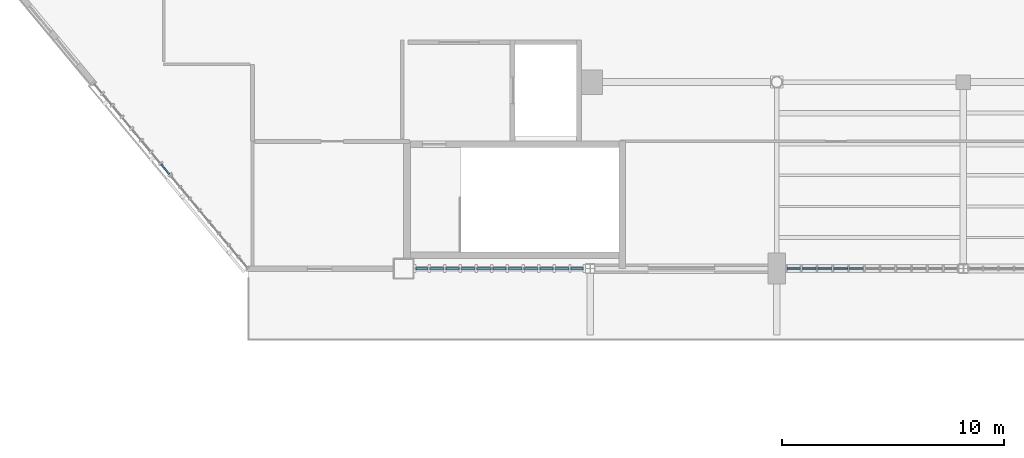
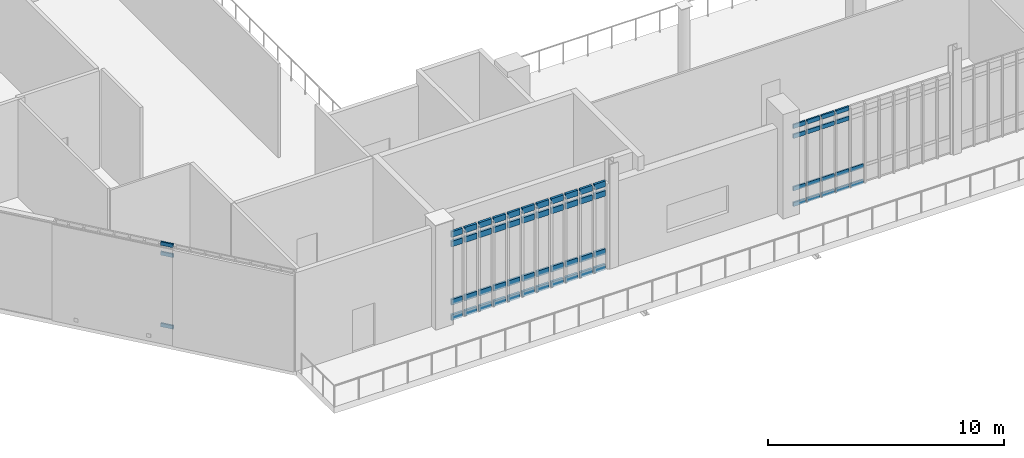
# One storey, part 44 of 135: 65 members, 3 elements without a shape of their own.
"""IFC4 building model written with IfcOpenShell, lengths in metres."""

from ifc_helpers import new_model, si_unit, direction, frame, origin, origin_2d, place, context, subcontext, project, spatial, rectangle, extrude, material, material_profile, profile_set, type_object, element, aggregate, save


model = new_model("IFC4")

# Units and contexts
model_context = context("Model", 3, precision=1e-05, world=origin(), true_north=direction((0.0, 1.0)))
body_context = subcontext(model_context, "Body", "Model", "MODEL_VIEW")
ifc_project = project(units=[si_unit("LENGTHUNIT", "METRE"), si_unit("AREAUNIT", "SQUARE_METRE"), si_unit("VOLUMEUNIT", "CUBIC_METRE"), si_unit("PLANEANGLEUNIT", "RADIAN"), si_unit("MASSUNIT", "GRAM", prefix="KILO")], contexts=[model_context])

# Site, building, storey
site_placement = place(None, origin())
site = spatial("IfcSite", under=ifc_project, at=site_placement, CompositionType="ELEMENT")
building_placement = place(site_placement, origin())
building = spatial("IfcBuilding", under=site, at=building_placement, Name="Larkvane Passage Sports Hall", CompositionType="ELEMENT")
storey_placement = place(building_placement, frame((0.0, 0.0, 16.800048828125)))
storey = spatial("IfcBuildingStorey", under=building, at=storey_placement, Name="L03", CompositionType="ELEMENT", Elevation=16.800048828125)

# Curtain wall, members
ifc_material_1 = material(Name="Thermally broken aluminium and low-E glazing", Category="aluminium")
curtain_wall_type_1 = type_object("IfcCurtainWallType", Name="CW-CLINIC", PredefinedType="USERDEFINED", material=ifc_material_1)
curtain_wall_1_placement = place(storey_placement, origin())
curtain_wall_1 = element("IfcCurtainWall", 1, at=curtain_wall_1_placement, inside=storey, type_object=curtain_wall_type_1, Name="Curtain wall CW5-L03-127", ObjectType="UNITISED CURTAIN WALL", PredefinedType="USERDEFINED")
ifc_material_2 = material(Name="Anodised aluminium 6063-T6", Category="aluminium")
ifc_material_profile_1 = material_profile(ifc_material_2, rectangle(XDim=0.110107421875, YDim=0.2900390625, at=origin_2d()), Name="ALU-TRN-110x290")
ifc_profile_set_1 = profile_set([ifc_material_profile_1], Name="Anodised aluminium 6063-T6")
member_type_1 = type_object("IfcMemberType", Name="CW-TRN-110x290", PredefinedType="USERDEFINED", material=ifc_profile_set_1)
member_1_placement = place(storey_placement, frame((42.885498046875, 22.800048828125, 0.054931640625), z_axis=(-1.0, 0.0, 0.0), x_axis=(0.0, -1.0, 0.0)))
member_1 = element("IfcMember", 2, at=member_1_placement, type_object=member_type_1, Name="CW-05 transom 1.1", ObjectType="TRANSOM", PredefinedType="USERDEFINED", context=body_context, shape_type="SweptSolid", body=[
    extrude(rectangle(XDim=0.110107421875, YDim=0.2900390625, at=origin_2d()), origin(), (0.0, 0.0, 1.0), 0.53955078125),
])
member_2_placement = place(storey_placement, frame((42.885498046875, 22.800048828125, 0.849853515625), z_axis=(-1.0, 0.0, 0.0), x_axis=(0.0, -1.0, 0.0)))
member_2 = element("IfcMember", 3, at=member_2_placement, type_object=member_type_1, Name="CW-05 transom 1.2", ObjectType="TRANSOM", PredefinedType="USERDEFINED", context=body_context, shape_type="SweptSolid", body=[
    extrude(rectangle(XDim=0.110107421875, YDim=0.2900390625, at=origin_2d()), origin(), (0.0, 0.0, 1.0), 0.53955078125),
])
member_3_placement = place(storey_placement, frame((42.885498046875, 22.800048828125, 3.85791015625), z_axis=(-1.0, 0.0, 0.0), x_axis=(0.0, -1.0, 0.0)))
member_3 = element("IfcMember", 4, at=member_3_placement, type_object=member_type_1, Name="CW-05 transom 1.3", ObjectType="TRANSOM", PredefinedType="USERDEFINED", context=body_context, shape_type="SweptSolid", body=[
    extrude(rectangle(XDim=0.110107421875, YDim=0.2900390625, at=origin_2d()), origin(), (0.0, 0.0, 1.0), 0.53955078125),
])
member_4_placement = place(storey_placement, frame((42.885498046875, 22.800048828125, 4.35302734375), z_axis=(-1.0, 0.0, 0.0), x_axis=(0.0, -1.0, 0.0)))
member_4 = element("IfcMember", 5, at=member_4_placement, type_object=member_type_1, Name="CW-05 transom 1.4", ObjectType="TRANSOM", PredefinedType="USERDEFINED", context=body_context, shape_type="SweptSolid", body=[
    extrude(rectangle(XDim=0.110107421875, YDim=0.2900390625, at=origin_2d()), origin(), (0.0, 0.0, 1.0), 0.53955078125),
])
member_5_placement = place(storey_placement, frame((42.236083984375, 22.800048828125, 0.054931640625), z_axis=(-1.0, 0.0, 0.0), x_axis=(0.0, -1.0, 0.0)))
member_5 = element("IfcMember", 6, at=member_5_placement, type_object=member_type_1, Name="CW-05 transom 2.1", ObjectType="TRANSOM", PredefinedType="USERDEFINED", context=body_context, shape_type="SweptSolid", body=[
    extrude(rectangle(XDim=0.110107421875, YDim=0.2900390625, at=origin_2d()), origin(), (0.0, 0.0, 1.0), 0.594482421875),
])
member_6_placement = place(storey_placement, frame((42.236083984375, 22.800048828125, 0.849853515625), z_axis=(-1.0, 0.0, 0.0), x_axis=(0.0, -1.0, 0.0)))
member_6 = element("IfcMember", 7, at=member_6_placement, type_object=member_type_1, Name="CW-05 transom 2.2", ObjectType="TRANSOM", PredefinedType="USERDEFINED", context=body_context, shape_type="SweptSolid", body=[
    extrude(rectangle(XDim=0.110107421875, YDim=0.2900390625, at=origin_2d()), origin(), (0.0, 0.0, 1.0), 0.594482421875),
])
member_7_placement = place(storey_placement, frame((42.236083984375, 22.800048828125, 3.85791015625), z_axis=(-1.0, 0.0, 0.0), x_axis=(0.0, -1.0, 0.0)))
member_7 = element("IfcMember", 8, at=member_7_placement, type_object=member_type_1, Name="CW-05 transom 2.3", ObjectType="TRANSOM", PredefinedType="USERDEFINED", context=body_context, shape_type="SweptSolid", body=[
    extrude(rectangle(XDim=0.110107421875, YDim=0.2900390625, at=origin_2d()), origin(), (0.0, 0.0, 1.0), 0.594482421875),
])
member_8_placement = place(storey_placement, frame((42.236083984375, 22.800048828125, 4.35302734375), z_axis=(-1.0, 0.0, 0.0), x_axis=(0.0, -1.0, 0.0)))
member_8 = element("IfcMember", 9, at=member_8_placement, type_object=member_type_1, Name="CW-05 transom 2.4", ObjectType="TRANSOM", PredefinedType="USERDEFINED", context=body_context, shape_type="SweptSolid", body=[
    extrude(rectangle(XDim=0.110107421875, YDim=0.2900390625, at=origin_2d()), origin(), (0.0, 0.0, 1.0), 0.594482421875),
])
member_9_placement = place(storey_placement, frame((41.531494140625, 22.800048828125, 0.054931640625), z_axis=(-1.0, 0.0, 0.0), x_axis=(0.0, -1.0, 0.0)))
member_9 = element("IfcMember", 10, at=member_9_placement, type_object=member_type_1, Name="CW-05 transom 3.1", ObjectType="TRANSOM", PredefinedType="USERDEFINED", context=body_context, shape_type="SweptSolid", body=[
    extrude(rectangle(XDim=0.110107421875, YDim=0.2900390625, at=origin_2d()), origin(), (0.0, 0.0, 1.0), 0.594482421875),
])
member_10_placement = place(storey_placement, frame((41.531494140625, 22.800048828125, 0.849853515625), z_axis=(-1.0, 0.0, 0.0), x_axis=(0.0, -1.0, 0.0)))
member_10 = element("IfcMember", 11, at=member_10_placement, type_object=member_type_1, Name="CW-05 transom 3.2", ObjectType="TRANSOM", PredefinedType="USERDEFINED", context=body_context, shape_type="SweptSolid", body=[
    extrude(rectangle(XDim=0.110107421875, YDim=0.2900390625, at=origin_2d()), origin(), (0.0, 0.0, 1.0), 0.594482421875),
])
member_11_placement = place(storey_placement, frame((41.531494140625, 22.800048828125, 3.85791015625), z_axis=(-1.0, 0.0, 0.0), x_axis=(0.0, -1.0, 0.0)))
member_11 = element("IfcMember", 12, at=member_11_placement, type_object=member_type_1, Name="CW-05 transom 3.3", ObjectType="TRANSOM", PredefinedType="USERDEFINED", context=body_context, shape_type="SweptSolid", body=[
    extrude(rectangle(XDim=0.110107421875, YDim=0.2900390625, at=origin_2d()), origin(), (0.0, 0.0, 1.0), 0.594482421875),
])
member_12_placement = place(storey_placement, frame((41.531494140625, 22.800048828125, 4.35302734375), z_axis=(-1.0, 0.0, 0.0), x_axis=(0.0, -1.0, 0.0)))
member_12 = element("IfcMember", 13, at=member_12_placement, type_object=member_type_1, Name="CW-05 transom 3.4", ObjectType="TRANSOM", PredefinedType="USERDEFINED", context=body_context, shape_type="SweptSolid", body=[
    extrude(rectangle(XDim=0.110107421875, YDim=0.2900390625, at=origin_2d()), origin(), (0.0, 0.0, 1.0), 0.594482421875),
])
member_13_placement = place(storey_placement, frame((40.826904296875, 22.800048828125, 0.054931640625), z_axis=(-1.0, 0.0, 0.0), x_axis=(0.0, -1.0, 0.0)))
member_13 = element("IfcMember", 14, at=member_13_placement, type_object=member_type_1, Name="CW-05 transom 4.1", ObjectType="TRANSOM", PredefinedType="USERDEFINED", context=body_context, shape_type="SweptSolid", body=[
    extrude(rectangle(XDim=0.110107421875, YDim=0.2900390625, at=origin_2d()), origin(), (0.0, 0.0, 1.0), 0.594482421875),
])
member_14_placement = place(storey_placement, frame((40.826904296875, 22.800048828125, 0.849853515625), z_axis=(-1.0, 0.0, 0.0), x_axis=(0.0, -1.0, 0.0)))
member_14 = element("IfcMember", 15, at=member_14_placement, type_object=member_type_1, Name="CW-05 transom 4.2", ObjectType="TRANSOM", PredefinedType="USERDEFINED", context=body_context, shape_type="SweptSolid", body=[
    extrude(rectangle(XDim=0.110107421875, YDim=0.2900390625, at=origin_2d()), origin(), (0.0, 0.0, 1.0), 0.594482421875),
])
member_15_placement = place(storey_placement, frame((40.826904296875, 22.800048828125, 3.85791015625), z_axis=(-1.0, 0.0, 0.0), x_axis=(0.0, -1.0, 0.0)))
member_15 = element("IfcMember", 16, at=member_15_placement, type_object=member_type_1, Name="CW-05 transom 4.3", ObjectType="TRANSOM", PredefinedType="USERDEFINED", context=body_context, shape_type="SweptSolid", body=[
    extrude(rectangle(XDim=0.110107421875, YDim=0.2900390625, at=origin_2d()), origin(), (0.0, 0.0, 1.0), 0.594482421875),
])
member_16_placement = place(storey_placement, frame((40.826904296875, 22.800048828125, 4.35302734375), z_axis=(-1.0, 0.0, 0.0), x_axis=(0.0, -1.0, 0.0)))
member_16 = element("IfcMember", 17, at=member_16_placement, type_object=member_type_1, Name="CW-05 transom 4.4", ObjectType="TRANSOM", PredefinedType="USERDEFINED", context=body_context, shape_type="SweptSolid", body=[
    extrude(rectangle(XDim=0.110107421875, YDim=0.2900390625, at=origin_2d()), origin(), (0.0, 0.0, 1.0), 0.594482421875),
])
member_17_placement = place(storey_placement, frame((40.12255859375, 22.800048828125, 0.054931640625), z_axis=(-1.0, 0.0, 0.0), x_axis=(0.0, -1.0, 0.0)))
member_17 = element("IfcMember", 18, at=member_17_placement, type_object=member_type_1, Name="CW-05 transom 5.1", ObjectType="TRANSOM", PredefinedType="USERDEFINED", context=body_context, shape_type="SweptSolid", body=[
    extrude(rectangle(XDim=0.110107421875, YDim=0.2900390625, at=origin_2d()), origin(), (0.0, 0.0, 1.0), 0.594482421875),
])
member_18_placement = place(storey_placement, frame((40.12255859375, 22.800048828125, 0.849853515625), z_axis=(-1.0, 0.0, 0.0), x_axis=(0.0, -1.0, 0.0)))
member_18 = element("IfcMember", 19, at=member_18_placement, type_object=member_type_1, Name="CW-05 transom 5.2", ObjectType="TRANSOM", PredefinedType="USERDEFINED", context=body_context, shape_type="SweptSolid", body=[
    extrude(rectangle(XDim=0.110107421875, YDim=0.2900390625, at=origin_2d()), origin(), (0.0, 0.0, 1.0), 0.594482421875),
])
member_19_placement = place(storey_placement, frame((40.12255859375, 22.800048828125, 3.85791015625), z_axis=(-1.0, 0.0, 0.0), x_axis=(0.0, -1.0, 0.0)))
member_19 = element("IfcMember", 20, at=member_19_placement, type_object=member_type_1, Name="CW-05 transom 5.3", ObjectType="TRANSOM", PredefinedType="USERDEFINED", context=body_context, shape_type="SweptSolid", body=[
    extrude(rectangle(XDim=0.110107421875, YDim=0.2900390625, at=origin_2d()), origin(), (0.0, 0.0, 1.0), 0.594482421875),
])
member_20_placement = place(storey_placement, frame((40.12255859375, 22.800048828125, 4.35302734375), z_axis=(-1.0, 0.0, 0.0), x_axis=(0.0, -1.0, 0.0)))
member_20 = element("IfcMember", 21, at=member_20_placement, type_object=member_type_1, Name="CW-05 transom 5.4", ObjectType="TRANSOM", PredefinedType="USERDEFINED", context=body_context, shape_type="SweptSolid", body=[
    extrude(rectangle(XDim=0.110107421875, YDim=0.2900390625, at=origin_2d()), origin(), (0.0, 0.0, 1.0), 0.594482421875),
])
member_21_placement = place(storey_placement, frame((39.41796875, 22.800048828125, 0.054931640625), z_axis=(-1.0, 0.0, 0.0), x_axis=(0.0, -1.0, 0.0)))
member_21 = element("IfcMember", 22, at=member_21_placement, type_object=member_type_1, Name="CW-05 transom 6.1", ObjectType="TRANSOM", PredefinedType="USERDEFINED", context=body_context, shape_type="SweptSolid", body=[
    extrude(rectangle(XDim=0.110107421875, YDim=0.2900390625, at=origin_2d()), origin(), (0.0, 0.0, 1.0), 0.594482421875),
])
member_22_placement = place(storey_placement, frame((39.41796875, 22.800048828125, 0.849853515625), z_axis=(-1.0, 0.0, 0.0), x_axis=(0.0, -1.0, 0.0)))
member_22 = element("IfcMember", 23, at=member_22_placement, type_object=member_type_1, Name="CW-05 transom 6.2", ObjectType="TRANSOM", PredefinedType="USERDEFINED", context=body_context, shape_type="SweptSolid", body=[
    extrude(rectangle(XDim=0.110107421875, YDim=0.2900390625, at=origin_2d()), origin(), (0.0, 0.0, 1.0), 0.594482421875),
])
member_23_placement = place(storey_placement, frame((39.41796875, 22.800048828125, 3.85791015625), z_axis=(-1.0, 0.0, 0.0), x_axis=(0.0, -1.0, 0.0)))
member_23 = element("IfcMember", 24, at=member_23_placement, type_object=member_type_1, Name="CW-05 transom 6.3", ObjectType="TRANSOM", PredefinedType="USERDEFINED", context=body_context, shape_type="SweptSolid", body=[
    extrude(rectangle(XDim=0.110107421875, YDim=0.2900390625, at=origin_2d()), origin(), (0.0, 0.0, 1.0), 0.594482421875),
])
member_24_placement = place(storey_placement, frame((39.41796875, 22.800048828125, 4.35302734375), z_axis=(-1.0, 0.0, 0.0), x_axis=(0.0, -1.0, 0.0)))
member_24 = element("IfcMember", 25, at=member_24_placement, type_object=member_type_1, Name="CW-05 transom 6.4", ObjectType="TRANSOM", PredefinedType="USERDEFINED", context=body_context, shape_type="SweptSolid", body=[
    extrude(rectangle(XDim=0.110107421875, YDim=0.2900390625, at=origin_2d()), origin(), (0.0, 0.0, 1.0), 0.594482421875),
])
member_25_placement = place(storey_placement, frame((38.71337890625, 22.800048828125, 0.054931640625), z_axis=(-1.0, 0.0, 0.0), x_axis=(0.0, -1.0, 0.0)))
member_25 = element("IfcMember", 26, at=member_25_placement, type_object=member_type_1, Name="CW-05 transom 7.1", ObjectType="TRANSOM", PredefinedType="USERDEFINED", context=body_context, shape_type="SweptSolid", body=[
    extrude(rectangle(XDim=0.110107421875, YDim=0.2900390625, at=origin_2d()), origin(), (0.0, 0.0, 1.0), 0.594482421875),
])
member_26_placement = place(storey_placement, frame((38.71337890625, 22.800048828125, 0.849853515625), z_axis=(-1.0, 0.0, 0.0), x_axis=(0.0, -1.0, 0.0)))
member_26 = element("IfcMember", 27, at=member_26_placement, type_object=member_type_1, Name="CW-05 transom 7.2", ObjectType="TRANSOM", PredefinedType="USERDEFINED", context=body_context, shape_type="SweptSolid", body=[
    extrude(rectangle(XDim=0.110107421875, YDim=0.2900390625, at=origin_2d()), origin(), (0.0, 0.0, 1.0), 0.594482421875),
])
member_27_placement = place(storey_placement, frame((38.71337890625, 22.800048828125, 3.85791015625), z_axis=(-1.0, 0.0, 0.0), x_axis=(0.0, -1.0, 0.0)))
member_27 = element("IfcMember", 28, at=member_27_placement, type_object=member_type_1, Name="CW-05 transom 7.3", ObjectType="TRANSOM", PredefinedType="USERDEFINED", context=body_context, shape_type="SweptSolid", body=[
    extrude(rectangle(XDim=0.110107421875, YDim=0.2900390625, at=origin_2d()), origin(), (0.0, 0.0, 1.0), 0.594482421875),
])
member_28_placement = place(storey_placement, frame((38.71337890625, 22.800048828125, 4.35302734375), z_axis=(-1.0, 0.0, 0.0), x_axis=(0.0, -1.0, 0.0)))
member_28 = element("IfcMember", 29, at=member_28_placement, type_object=member_type_1, Name="CW-05 transom 7.4", ObjectType="TRANSOM", PredefinedType="USERDEFINED", context=body_context, shape_type="SweptSolid", body=[
    extrude(rectangle(XDim=0.110107421875, YDim=0.2900390625, at=origin_2d()), origin(), (0.0, 0.0, 1.0), 0.594482421875),
])
member_29_placement = place(storey_placement, frame((38.009033203125, 22.800048828125, 0.054931640625), z_axis=(-1.0, 0.0, 0.0), x_axis=(0.0, -1.0, 0.0)))
member_29 = element("IfcMember", 30, at=member_29_placement, type_object=member_type_1, Name="CW-05 transom 8.1", ObjectType="TRANSOM", PredefinedType="USERDEFINED", context=body_context, shape_type="SweptSolid", body=[
    extrude(rectangle(XDim=0.110107421875, YDim=0.2900390625, at=origin_2d()), origin(), (0.0, 0.0, 1.0), 0.594482421875),
])
member_30_placement = place(storey_placement, frame((38.009033203125, 22.800048828125, 0.849853515625), z_axis=(-1.0, 0.0, 0.0), x_axis=(0.0, -1.0, 0.0)))
member_30 = element("IfcMember", 31, at=member_30_placement, type_object=member_type_1, Name="CW-05 transom 8.2", ObjectType="TRANSOM", PredefinedType="USERDEFINED", context=body_context, shape_type="SweptSolid", body=[
    extrude(rectangle(XDim=0.110107421875, YDim=0.2900390625, at=origin_2d()), origin(), (0.0, 0.0, 1.0), 0.594482421875),
])
member_31_placement = place(storey_placement, frame((38.009033203125, 22.800048828125, 3.85791015625), z_axis=(-1.0, 0.0, 0.0), x_axis=(0.0, -1.0, 0.0)))
member_31 = element("IfcMember", 32, at=member_31_placement, type_object=member_type_1, Name="CW-05 transom 8.3", ObjectType="TRANSOM", PredefinedType="USERDEFINED", context=body_context, shape_type="SweptSolid", body=[
    extrude(rectangle(XDim=0.110107421875, YDim=0.2900390625, at=origin_2d()), origin(), (0.0, 0.0, 1.0), 0.594482421875),
])
member_32_placement = place(storey_placement, frame((38.009033203125, 22.800048828125, 4.35302734375), z_axis=(-1.0, 0.0, 0.0), x_axis=(0.0, -1.0, 0.0)))
member_32 = element("IfcMember", 33, at=member_32_placement, type_object=member_type_1, Name="CW-05 transom 8.4", ObjectType="TRANSOM", PredefinedType="USERDEFINED", context=body_context, shape_type="SweptSolid", body=[
    extrude(rectangle(XDim=0.110107421875, YDim=0.2900390625, at=origin_2d()), origin(), (0.0, 0.0, 1.0), 0.594482421875),
])
member_33_placement = place(storey_placement, frame((37.304443359375, 22.800048828125, 0.054931640625), z_axis=(-1.0, 0.0, 0.0), x_axis=(0.0, -1.0, 0.0)))
member_33 = element("IfcMember", 34, at=member_33_placement, type_object=member_type_1, Name="CW-05 transom 9.1", ObjectType="TRANSOM", PredefinedType="USERDEFINED", context=body_context, shape_type="SweptSolid", body=[
    extrude(rectangle(XDim=0.110107421875, YDim=0.2900390625, at=origin_2d()), origin(), (0.0, 0.0, 1.0), 0.594482421875),
])
member_34_placement = place(storey_placement, frame((37.304443359375, 22.800048828125, 0.849853515625), z_axis=(-1.0, 0.0, 0.0), x_axis=(0.0, -1.0, 0.0)))
member_34 = element("IfcMember", 35, at=member_34_placement, type_object=member_type_1, Name="CW-05 transom 9.2", ObjectType="TRANSOM", PredefinedType="USERDEFINED", context=body_context, shape_type="SweptSolid", body=[
    extrude(rectangle(XDim=0.110107421875, YDim=0.2900390625, at=origin_2d()), origin(), (0.0, 0.0, 1.0), 0.594482421875),
])
member_35_placement = place(storey_placement, frame((37.304443359375, 22.800048828125, 3.85791015625), z_axis=(-1.0, 0.0, 0.0), x_axis=(0.0, -1.0, 0.0)))
member_35 = element("IfcMember", 36, at=member_35_placement, type_object=member_type_1, Name="CW-05 transom 9.3", ObjectType="TRANSOM", PredefinedType="USERDEFINED", context=body_context, shape_type="SweptSolid", body=[
    extrude(rectangle(XDim=0.110107421875, YDim=0.2900390625, at=origin_2d()), origin(), (0.0, 0.0, 1.0), 0.594482421875),
])
member_36_placement = place(storey_placement, frame((37.304443359375, 22.800048828125, 4.35302734375), z_axis=(-1.0, 0.0, 0.0), x_axis=(0.0, -1.0, 0.0)))
member_36 = element("IfcMember", 37, at=member_36_placement, type_object=member_type_1, Name="CW-05 transom 9.4", ObjectType="TRANSOM", PredefinedType="USERDEFINED", context=body_context, shape_type="SweptSolid", body=[
    extrude(rectangle(XDim=0.110107421875, YDim=0.2900390625, at=origin_2d()), origin(), (0.0, 0.0, 1.0), 0.594482421875),
])
member_37_placement = place(storey_placement, frame((36.60009765625, 22.800048828125, 0.054931640625), z_axis=(-1.0, 0.0, 0.0), x_axis=(0.0, -1.0, 0.0)))
member_37 = element("IfcMember", 38, at=member_37_placement, type_object=member_type_1, Name="CW-05 transom 10.1", ObjectType="TRANSOM", PredefinedType="USERDEFINED", context=body_context, shape_type="SweptSolid", body=[
    extrude(rectangle(XDim=0.110107421875, YDim=0.2900390625, at=origin_2d()), origin(), (0.0, 0.0, 1.0), 0.594482421875),
])
member_38_placement = place(storey_placement, frame((36.60009765625, 22.800048828125, 0.849853515625), z_axis=(-1.0, 0.0, 0.0), x_axis=(0.0, -1.0, 0.0)))
member_38 = element("IfcMember", 39, at=member_38_placement, type_object=member_type_1, Name="CW-05 transom 10.2", ObjectType="TRANSOM", PredefinedType="USERDEFINED", context=body_context, shape_type="SweptSolid", body=[
    extrude(rectangle(XDim=0.110107421875, YDim=0.2900390625, at=origin_2d()), origin(), (0.0, 0.0, 1.0), 0.594482421875),
])
member_39_placement = place(storey_placement, frame((36.60009765625, 22.800048828125, 3.85791015625), z_axis=(-1.0, 0.0, 0.0), x_axis=(0.0, -1.0, 0.0)))
member_39 = element("IfcMember", 40, at=member_39_placement, type_object=member_type_1, Name="CW-05 transom 10.3", ObjectType="TRANSOM", PredefinedType="USERDEFINED", context=body_context, shape_type="SweptSolid", body=[
    extrude(rectangle(XDim=0.110107421875, YDim=0.2900390625, at=origin_2d()), origin(), (0.0, 0.0, 1.0), 0.594482421875),
])
member_40_placement = place(storey_placement, frame((36.60009765625, 22.800048828125, 4.35302734375), z_axis=(-1.0, 0.0, 0.0), x_axis=(0.0, -1.0, 0.0)))
member_40 = element("IfcMember", 41, at=member_40_placement, type_object=member_type_1, Name="CW-05 transom 10.4", ObjectType="TRANSOM", PredefinedType="USERDEFINED", context=body_context, shape_type="SweptSolid", body=[
    extrude(rectangle(XDim=0.110107421875, YDim=0.2900390625, at=origin_2d()), origin(), (0.0, 0.0, 1.0), 0.594482421875),
])
member_41_placement = place(storey_placement, frame((35.8955078125, 22.800048828125, 0.054931640625), z_axis=(-1.0, 0.0, 0.0), x_axis=(0.0, -1.0, 0.0)))
member_41 = element("IfcMember", 42, at=member_41_placement, type_object=member_type_1, Name="CW-05 transom 11.1", ObjectType="TRANSOM", PredefinedType="USERDEFINED", context=body_context, shape_type="SweptSolid", body=[
    extrude(rectangle(XDim=0.110107421875, YDim=0.2900390625, at=origin_2d()), origin(), (0.0, 0.0, 1.0), 0.53955078125),
])
member_42_placement = place(storey_placement, frame((35.8955078125, 22.800048828125, 0.849853515625), z_axis=(-1.0, 0.0, 0.0), x_axis=(0.0, -1.0, 0.0)))
member_42 = element("IfcMember", 43, at=member_42_placement, type_object=member_type_1, Name="CW-05 transom 11.2", ObjectType="TRANSOM", PredefinedType="USERDEFINED", context=body_context, shape_type="SweptSolid", body=[
    extrude(rectangle(XDim=0.110107421875, YDim=0.2900390625, at=origin_2d()), origin(), (0.0, 0.0, 1.0), 0.53955078125),
])
member_43_placement = place(storey_placement, frame((35.8955078125, 22.800048828125, 3.85791015625), z_axis=(-1.0, 0.0, 0.0), x_axis=(0.0, -1.0, 0.0)))
member_43 = element("IfcMember", 44, at=member_43_placement, type_object=member_type_1, Name="CW-05 transom 11.3", ObjectType="TRANSOM", PredefinedType="USERDEFINED", context=body_context, shape_type="SweptSolid", body=[
    extrude(rectangle(XDim=0.110107421875, YDim=0.2900390625, at=origin_2d()), origin(), (0.0, 0.0, 1.0), 0.53955078125),
])
member_44_placement = place(storey_placement, frame((35.8955078125, 22.800048828125, 4.35302734375), z_axis=(-1.0, 0.0, 0.0), x_axis=(0.0, -1.0, 0.0)))
member_44 = element("IfcMember", 45, at=member_44_placement, type_object=member_type_1, Name="CW-05 transom 11.4", ObjectType="TRANSOM", PredefinedType="USERDEFINED", context=body_context, shape_type="SweptSolid", body=[
    extrude(rectangle(XDim=0.110107421875, YDim=0.2900390625, at=origin_2d()), origin(), (0.0, 0.0, 1.0), 0.53955078125),
])
aggregate(curtain_wall_1, [member_1, member_2, member_3, member_4, member_5, member_6, member_7, member_8, member_9, member_10, member_11, member_12, member_13, member_14, member_15, member_16, member_17, member_18, member_19, member_20, member_21, member_22, member_23, member_24, member_25, member_26, member_27, member_28, member_29, member_30, member_31, member_32, member_33, member_34, member_35, member_36, member_37, member_38, member_39, member_40, member_41, member_42, member_43, member_44])

curtain_wall_type_2 = type_object("IfcCurtainWallType", Name="CW-UNIT-VEIL", PredefinedType="USERDEFINED", material=ifc_material_1)
curtain_wall_2_placement = place(storey_placement, origin())
curtain_wall_2 = element("IfcCurtainWall", 46, at=curtain_wall_2_placement, inside=storey, type_object=curtain_wall_type_2, Name="Curtain wall CW5-L03-129", ObjectType="UNITISED CURTAIN WALL", PredefinedType="USERDEFINED")
ifc_material_profile_2 = material_profile(ifc_material_2, rectangle(XDim=0.074951171875, YDim=0.18505859375, at=origin_2d()), Name="ALU-TRN-75x185")
ifc_profile_set_2 = profile_set([ifc_material_profile_2], Name="Anodised aluminium 6063-T6")
member_type_2 = type_object("IfcMemberType", Name="CW-TRN-75x185", PredefinedType="USERDEFINED", material=ifc_profile_set_2)
member_45_placement = place(storey_placement, frame((24.251953125, 27.0576171875, 0.849853515625), z_axis=(-0.640268533744, 0.768151160057, 0.0), x_axis=(-0.768151160057, -0.640268533744, 0.0)))
member_45 = element("IfcMember", 47, at=member_45_placement, type_object=member_type_2, Name="CW-02 transom 1.2", ObjectType="TRANSOM", PredefinedType="USERDEFINED", context=body_context, shape_type="SweptSolid", body=[
    extrude(rectangle(XDim=0.074951171875, YDim=0.18505859375, at=origin_2d()), origin(), (0.0, 0.0, 1.0), 0.57080078125),
])
member_46_placement = place(storey_placement, frame((24.251953125, 27.0576171875, 4.550048828125), z_axis=(-0.640268533744, 0.768151160057, 0.0), x_axis=(-0.768151160057, -0.640268533744, 0.0)))
member_46 = element("IfcMember", 48, at=member_46_placement, type_object=member_type_2, Name="CW-02 transom 1.3", ObjectType="TRANSOM", PredefinedType="USERDEFINED", context=body_context, shape_type="SweptSolid", body=[
    extrude(rectangle(XDim=0.074951171875, YDim=0.18505859375, at=origin_2d()), origin(), (0.0, 0.0, 1.0), 0.57080078125),
])
member_47_placement = place(storey_placement, frame((24.251953125, 27.0576171875, 5.0625), z_axis=(-0.640268533744, 0.768151160057, 0.0), x_axis=(-0.768151160057, -0.640268533744, 0.0)))
member_47 = element("IfcMember", 49, at=member_47_placement, type_object=member_type_2, Name="CW-02 transom 1.4", ObjectType="TRANSOM", PredefinedType="USERDEFINED", context=body_context, shape_type="SweptSolid", body=[
    extrude(rectangle(XDim=0.074951171875, YDim=0.18505859375, at=origin_2d()), origin(), (0.0, 0.0, 1.0), 0.57080078125),
])
aggregate(curtain_wall_2, [member_45, member_46, member_47])

curtain_wall_type_3 = type_object("IfcCurtainWallType", Name="CW-STICK-FOYER", PredefinedType="USERDEFINED", material=ifc_material_1)
curtain_wall_3_placement = place(storey_placement, origin())
curtain_wall_3 = element("IfcCurtainWall", 50, at=curtain_wall_3_placement, inside=storey, type_object=curtain_wall_type_3, Name="Curtain wall CW5-L03-126", ObjectType="STICK CURTAIN WALL", PredefinedType="USERDEFINED")
ifc_material_profile_3 = material_profile(ifc_material_2, rectangle(XDim=0.080078125, YDim=0.2099609375, at=origin_2d()), Name="ALU-TRN-80x210")
ifc_profile_set_3 = profile_set([ifc_material_profile_3], Name="Anodised aluminium 6063-T6")
member_type_3 = type_object("IfcMemberType", Name="CW-TRN-80x210", PredefinedType="USERDEFINED", material=ifc_profile_set_3)
member_48_placement = place(storey_placement, frame((55.50341796875, 22.800048828125, 0.0400390625), z_axis=(-1.0, 0.0, 0.0), x_axis=(0.0, -1.0, 0.0)))
member_48 = element("IfcMember", 51, at=member_48_placement, type_object=member_type_3, Name="CW-03 transom 7.1", ObjectType="TRANSOM", PredefinedType="USERDEFINED", context=body_context, shape_type="SweptSolid", body=[
    extrude(rectangle(XDim=0.080078125, YDim=0.2099609375, at=origin_2d()), origin(), (0.0, 0.0, 1.0), 0.62939453125),
])
member_49_placement = place(storey_placement, frame((55.50341796875, 22.800048828125, 0.849853515625), z_axis=(-1.0, 0.0, 0.0), x_axis=(0.0, -1.0, 0.0)))
member_49 = element("IfcMember", 52, at=member_49_placement, type_object=member_type_3, Name="CW-03 transom 7.2", ObjectType="TRANSOM", PredefinedType="USERDEFINED", context=body_context, shape_type="SweptSolid", body=[
    extrude(rectangle(XDim=0.080078125, YDim=0.2099609375, at=origin_2d()), origin(), (0.0, 0.0, 1.0), 0.62939453125),
])
member_50_placement = place(storey_placement, frame((54.7939453125, 22.800048828125, 0.0400390625), z_axis=(-1.0, 0.0, 0.0), x_axis=(0.0, -1.0, 0.0)))
member_50 = element("IfcMember", 53, at=member_50_placement, type_object=member_type_3, Name="CW-03 transom 8.1", ObjectType="TRANSOM", PredefinedType="USERDEFINED", context=body_context, shape_type="SweptSolid", body=[
    extrude(rectangle(XDim=0.080078125, YDim=0.2099609375, at=origin_2d()), origin(), (0.0, 0.0, 1.0), 0.62939453125),
])
member_51_placement = place(storey_placement, frame((54.7939453125, 22.800048828125, 0.849853515625), z_axis=(-1.0, 0.0, 0.0), x_axis=(0.0, -1.0, 0.0)))
member_51 = element("IfcMember", 54, at=member_51_placement, type_object=member_type_3, Name="CW-03 transom 8.2", ObjectType="TRANSOM", PredefinedType="USERDEFINED", context=body_context, shape_type="SweptSolid", body=[
    extrude(rectangle(XDim=0.080078125, YDim=0.2099609375, at=origin_2d()), origin(), (0.0, 0.0, 1.0), 0.62939453125),
])
member_52_placement = place(storey_placement, frame((54.7939453125, 22.800048828125, 3.557861328125), z_axis=(-1.0, 0.0, 0.0), x_axis=(0.0, -1.0, 0.0)))
member_52 = element("IfcMember", 55, at=member_52_placement, type_object=member_type_3, Name="CW-03 transom 8.3", ObjectType="TRANSOM", PredefinedType="USERDEFINED", context=body_context, shape_type="SweptSolid", body=[
    extrude(rectangle(XDim=0.080078125, YDim=0.2099609375, at=origin_2d()), origin(), (0.0, 0.0, 1.0), 0.62939453125),
])
member_53_placement = place(storey_placement, frame((54.7939453125, 22.800048828125, 4.06787109375), z_axis=(-1.0, 0.0, 0.0), x_axis=(0.0, -1.0, 0.0)))
member_53 = element("IfcMember", 56, at=member_53_placement, type_object=member_type_3, Name="CW-03 transom 8.4", ObjectType="TRANSOM", PredefinedType="USERDEFINED", context=body_context, shape_type="SweptSolid", body=[
    extrude(rectangle(XDim=0.080078125, YDim=0.2099609375, at=origin_2d()), origin(), (0.0, 0.0, 1.0), 0.62939453125),
])
member_54_placement = place(storey_placement, frame((54.08447265625, 22.800048828125, 0.0400390625), z_axis=(-1.0, 0.0, 0.0), x_axis=(0.0, -1.0, 0.0)))
member_54 = element("IfcMember", 57, at=member_54_placement, type_object=member_type_3, Name="CW-03 transom 9.1", ObjectType="TRANSOM", PredefinedType="USERDEFINED", context=body_context, shape_type="SweptSolid", body=[
    extrude(rectangle(XDim=0.080078125, YDim=0.2099609375, at=origin_2d()), origin(), (0.0, 0.0, 1.0), 0.62939453125),
])
member_55_placement = place(storey_placement, frame((54.08447265625, 22.800048828125, 0.849853515625), z_axis=(-1.0, 0.0, 0.0), x_axis=(0.0, -1.0, 0.0)))
member_55 = element("IfcMember", 58, at=member_55_placement, type_object=member_type_3, Name="CW-03 transom 9.2", ObjectType="TRANSOM", PredefinedType="USERDEFINED", context=body_context, shape_type="SweptSolid", body=[
    extrude(rectangle(XDim=0.080078125, YDim=0.2099609375, at=origin_2d()), origin(), (0.0, 0.0, 1.0), 0.62939453125),
])
member_56_placement = place(storey_placement, frame((54.08447265625, 22.800048828125, 3.557861328125), z_axis=(-1.0, 0.0, 0.0), x_axis=(0.0, -1.0, 0.0)))
member_56 = element("IfcMember", 59, at=member_56_placement, type_object=member_type_3, Name="CW-03 transom 9.3", ObjectType="TRANSOM", PredefinedType="USERDEFINED", context=body_context, shape_type="SweptSolid", body=[
    extrude(rectangle(XDim=0.080078125, YDim=0.2099609375, at=origin_2d()), origin(), (0.0, 0.0, 1.0), 0.62939453125),
])
member_57_placement = place(storey_placement, frame((54.08447265625, 22.800048828125, 4.06787109375), z_axis=(-1.0, 0.0, 0.0), x_axis=(0.0, -1.0, 0.0)))
member_57 = element("IfcMember", 60, at=member_57_placement, type_object=member_type_3, Name="CW-03 transom 9.4", ObjectType="TRANSOM", PredefinedType="USERDEFINED", context=body_context, shape_type="SweptSolid", body=[
    extrude(rectangle(XDim=0.080078125, YDim=0.2099609375, at=origin_2d()), origin(), (0.0, 0.0, 1.0), 0.62939453125),
])
member_58_placement = place(storey_placement, frame((53.375, 22.800048828125, 0.0400390625), z_axis=(-1.0, 0.0, 0.0), x_axis=(0.0, -1.0, 0.0)))
member_58 = element("IfcMember", 61, at=member_58_placement, type_object=member_type_3, Name="CW-03 transom 10.1", ObjectType="TRANSOM", PredefinedType="USERDEFINED", context=body_context, shape_type="SweptSolid", body=[
    extrude(rectangle(XDim=0.080078125, YDim=0.2099609375, at=origin_2d()), origin(), (0.0, 0.0, 1.0), 0.62939453125),
])
member_59_placement = place(storey_placement, frame((53.375, 22.800048828125, 0.849853515625), z_axis=(-1.0, 0.0, 0.0), x_axis=(0.0, -1.0, 0.0)))
member_59 = element("IfcMember", 62, at=member_59_placement, type_object=member_type_3, Name="CW-03 transom 10.2", ObjectType="TRANSOM", PredefinedType="USERDEFINED", context=body_context, shape_type="SweptSolid", body=[
    extrude(rectangle(XDim=0.080078125, YDim=0.2099609375, at=origin_2d()), origin(), (0.0, 0.0, 1.0), 0.62939453125),
])
member_60_placement = place(storey_placement, frame((53.375, 22.800048828125, 3.557861328125), z_axis=(-1.0, 0.0, 0.0), x_axis=(0.0, -1.0, 0.0)))
member_60 = element("IfcMember", 63, at=member_60_placement, type_object=member_type_3, Name="CW-03 transom 10.3", ObjectType="TRANSOM", PredefinedType="USERDEFINED", context=body_context, shape_type="SweptSolid", body=[
    extrude(rectangle(XDim=0.080078125, YDim=0.2099609375, at=origin_2d()), origin(), (0.0, 0.0, 1.0), 0.62939453125),
])
member_61_placement = place(storey_placement, frame((53.375, 22.800048828125, 4.06787109375), z_axis=(-1.0, 0.0, 0.0), x_axis=(0.0, -1.0, 0.0)))
member_61 = element("IfcMember", 64, at=member_61_placement, type_object=member_type_3, Name="CW-03 transom 10.4", ObjectType="TRANSOM", PredefinedType="USERDEFINED", context=body_context, shape_type="SweptSolid", body=[
    extrude(rectangle(XDim=0.080078125, YDim=0.2099609375, at=origin_2d()), origin(), (0.0, 0.0, 1.0), 0.62939453125),
])
member_62_placement = place(storey_placement, frame((52.66552734375, 22.800048828125, 0.0400390625), z_axis=(-1.0, 0.0, 0.0), x_axis=(0.0, -1.0, 0.0)))
member_62 = element("IfcMember", 65, at=member_62_placement, type_object=member_type_3, Name="CW-03 transom 11.1", ObjectType="TRANSOM", PredefinedType="USERDEFINED", context=body_context, shape_type="SweptSolid", body=[
    extrude(rectangle(XDim=0.080078125, YDim=0.2099609375, at=origin_2d()), origin(), (0.0, 0.0, 1.0), 0.589599609375),
])
member_63_placement = place(storey_placement, frame((52.66552734375, 22.800048828125, 0.849853515625), z_axis=(-1.0, 0.0, 0.0), x_axis=(0.0, -1.0, 0.0)))
member_63 = element("IfcMember", 66, at=member_63_placement, type_object=member_type_3, Name="CW-03 transom 11.2", ObjectType="TRANSOM", PredefinedType="USERDEFINED", context=body_context, shape_type="SweptSolid", body=[
    extrude(rectangle(XDim=0.080078125, YDim=0.2099609375, at=origin_2d()), origin(), (0.0, 0.0, 1.0), 0.589599609375),
])
member_64_placement = place(storey_placement, frame((52.66552734375, 22.800048828125, 3.557861328125), z_axis=(-1.0, 0.0, 0.0), x_axis=(0.0, -1.0, 0.0)))
member_64 = element("IfcMember", 67, at=member_64_placement, type_object=member_type_3, Name="CW-03 transom 11.3", ObjectType="TRANSOM", PredefinedType="USERDEFINED", context=body_context, shape_type="SweptSolid", body=[
    extrude(rectangle(XDim=0.080078125, YDim=0.2099609375, at=origin_2d()), origin(), (0.0, 0.0, 1.0), 0.589599609375),
])
member_65_placement = place(storey_placement, frame((52.66552734375, 22.800048828125, 4.06787109375), z_axis=(-1.0, 0.0, 0.0), x_axis=(0.0, -1.0, 0.0)))
member_65 = element("IfcMember", 68, at=member_65_placement, type_object=member_type_3, Name="CW-03 transom 11.4", ObjectType="TRANSOM", PredefinedType="USERDEFINED", context=body_context, shape_type="SweptSolid", body=[
    extrude(rectangle(XDim=0.080078125, YDim=0.2099609375, at=origin_2d()), origin(), (0.0, 0.0, 1.0), 0.589599609375),
])
aggregate(curtain_wall_3, [member_48, member_49, member_50, member_51, member_52, member_53, member_54, member_55, member_56, member_57, member_58, member_59, member_60, member_61, member_62, member_63, member_64, member_65])

save(model, "model.ifc")
